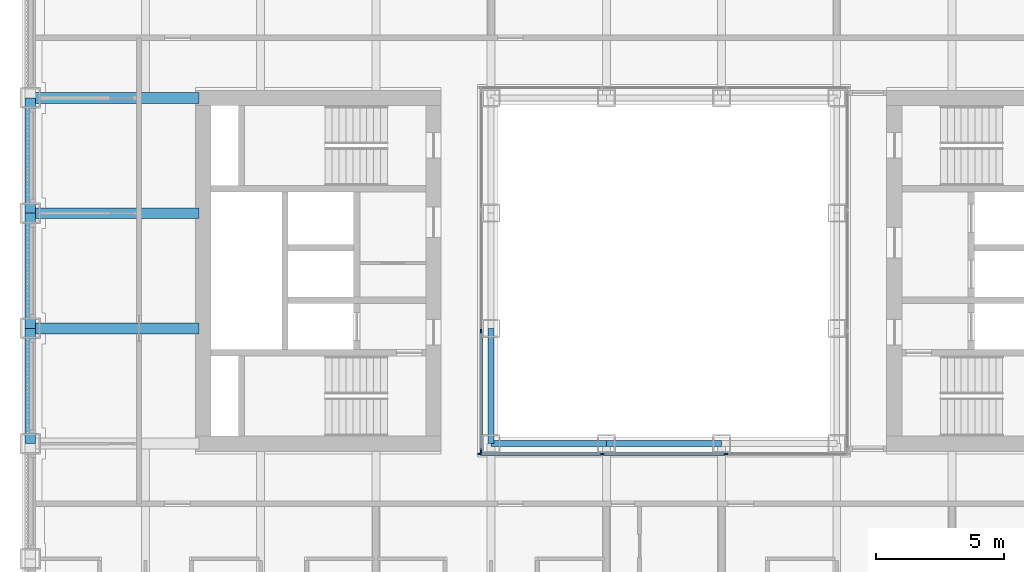
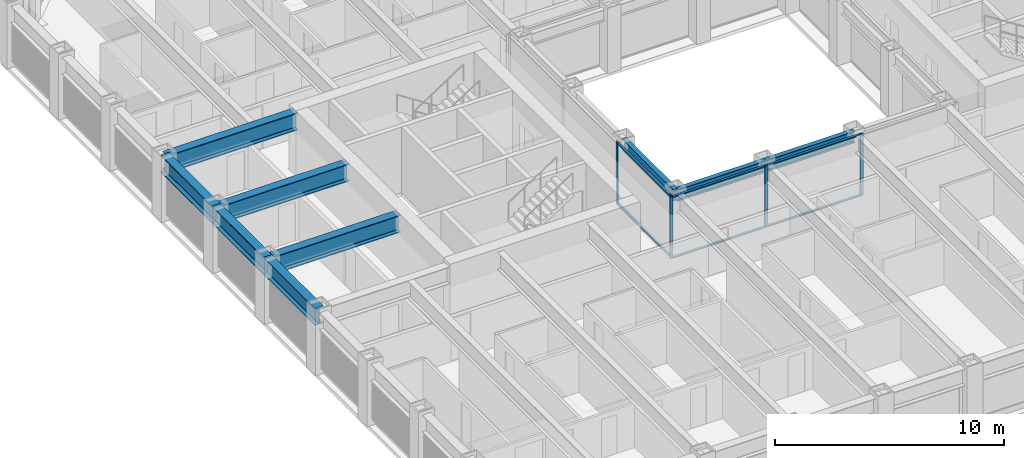
# One storey, part 3 of 21: 11 members, 9 beams, 2 elements without a shape of their own.
"""IFC4 building model written with IfcOpenShell, lengths in metres."""

from ifc_helpers import new_model, si_unit, direction, frame, origin, origin_2d, place, context, subcontext, project, spatial, rectangle, i_section, extrude, material, material_profile, profile_set, type_object, element, aggregate, save


model = new_model("IFC4")

# Units and contexts
model_context = context("Model", 3, precision=1e-05, world=origin(), true_north=direction((0.0, 1.0)))
body_context = subcontext(model_context, "Body", "Model", "MODEL_VIEW")
ifc_project = project(units=[si_unit("LENGTHUNIT", "METRE"), si_unit("AREAUNIT", "SQUARE_METRE"), si_unit("VOLUMEUNIT", "CUBIC_METRE"), si_unit("PLANEANGLEUNIT", "RADIAN"), si_unit("MASSUNIT", "GRAM", prefix="KILO")], contexts=[model_context])

# Site, building, storey
site_placement = place(None, origin())
site = spatial("IfcSite", under=ifc_project, at=site_placement, CompositionType="ELEMENT")
building_placement = place(site_placement, origin())
building = spatial("IfcBuilding", under=site, at=building_placement, Name="Msasa Ring Tower", CompositionType="ELEMENT")
storey_placement = place(building_placement, frame((0.0, 0.0, 72.0)))
storey = spatial("IfcBuildingStorey", under=building, at=storey_placement, Name="L18", CompositionType="ELEMENT", Elevation=72.0)

# Curtain wall, members
ifc_material_1 = material(Name="Aluminium curtain wall with clear glass", Category="aluminium")
curtain_wall_type = type_object("IfcCurtainWallType", Name="CW-W LIGHT WELL CURTAIN WALL", PredefinedType="NOTDEFINED", material=ifc_material_1)
curtain_wall_1_placement = place(storey_placement, origin())
curtain_wall_1 = element("IfcCurtainWall", 1, at=curtain_wall_1_placement, inside=storey, type_object=curtain_wall_type, Name="Light well curtain wall S L18", PredefinedType="NOTDEFINED")
ifc_material_2 = material(Name="Aluminium mullion", Category="aluminium")
ifc_material_profile_1 = material_profile(ifc_material_2, rectangle(XDim=0.06005859375, YDim=0.159912109375, at=origin_2d()), Name="AL 60x160")
ifc_profile_set_1 = profile_set([ifc_material_profile_1], Name="Aluminium mullion")
member_type_1 = type_object("IfcMemberType", Name="CW-W MULLION 60x160", PredefinedType="MULLION", material=ifc_profile_set_1)
member_1_placement = place(storey_placement, frame((-7.199951171875, -7.14990234375, 0.0), z_axis=(0.0, 0.0, 1.0), x_axis=(0.0, 1.0, 0.0)))
member_1 = element("IfcMember", 2, at=member_1_placement, type_object=member_type_1, Name="CW-W mullion 1", PredefinedType="MULLION", context=body_context, shape_type="SweptSolid", body=[
    extrude(rectangle(XDim=0.06005859375, YDim=0.159912109375, at=origin_2d()), origin(), (0.0, 0.0, 1.0), 3.300048828125),
])
member_2_placement = place(storey_placement, frame((-2.409912109375, -7.14990234375, 0.0), z_axis=(0.0, 0.0, 1.0), x_axis=(0.0, 1.0, 0.0)))
member_2 = element("IfcMember", 3, at=member_2_placement, type_object=member_type_1, Name="CW-W mullion 2", PredefinedType="MULLION", context=body_context, shape_type="SweptSolid", body=[
    extrude(rectangle(XDim=0.06005859375, YDim=0.159912109375, at=origin_2d()), origin(), (0.0, 0.0, 1.0), 3.300048828125),
])
member_3_placement = place(storey_placement, frame((2.409912109375, -7.14990234375, 0.0), z_axis=(0.0, 0.0, 1.0), x_axis=(0.0, 1.0, 0.0)))
member_3 = element("IfcMember", 4, at=member_3_placement, type_object=member_type_1, Name="CW-W mullion 3", PredefinedType="MULLION", context=body_context, shape_type="SweptSolid", body=[
    extrude(rectangle(XDim=0.06005859375, YDim=0.159912109375, at=origin_2d()), origin(), (0.0, 0.0, 1.0), 3.300048828125),
])

curtain_wall_2_placement = place(storey_placement, origin())
curtain_wall_2 = element("IfcCurtainWall", 5, at=curtain_wall_2_placement, inside=storey, type_object=curtain_wall_type, Name="Light well curtain wall W L18", PredefinedType="NOTDEFINED")
member_4_placement = place(storey_placement, frame((-7.14990234375, -7.0400390625, 0.0), z_axis=(0.0, 0.0, 1.0), x_axis=(-1.0, 0.0, 0.0)))
member_4 = element("IfcMember", 6, at=member_4_placement, type_object=member_type_1, Name="CW-W mullion 1", PredefinedType="MULLION", context=body_context, shape_type="SweptSolid", body=[
    extrude(rectangle(XDim=0.06005859375, YDim=0.159912109375, at=origin_2d()), origin(), (0.0, 0.0, 1.0), 3.300048828125),
])
member_5_placement = place(storey_placement, frame((-7.14990234375, -2.356689453125, 0.0), z_axis=(0.0, 0.0, 1.0), x_axis=(-1.0, 0.0, 0.0)))
member_5 = element("IfcMember", 7, at=member_5_placement, type_object=member_type_1, Name="CW-W mullion 2", PredefinedType="MULLION", context=body_context, shape_type="SweptSolid", body=[
    extrude(rectangle(XDim=0.06005859375, YDim=0.159912109375, at=origin_2d()), origin(), (0.0, 0.0, 1.0), 3.300048828125),
])

# Member
ifc_material_3 = material(Name="Aluminium transom", Category="aluminium")
ifc_material_profile_2 = material_profile(ifc_material_3, rectangle(XDim=0.1201171875, YDim=0.06005859375, at=origin_2d()), Name="AL 60x120")
ifc_profile_set_2 = profile_set([ifc_material_profile_2], Name="Aluminium transom")
member_type_2 = type_object("IfcMemberType", Name="CW-W TRANSOM 60x120", PredefinedType="USERDEFINED", material=ifc_profile_set_2)
member_6_placement = place(storey_placement, frame((-7.169921875, -7.14990234375, 0.030029296875), z_axis=(1.0, 0.0, 0.0), x_axis=(0.0, 1.0, 0.0)))
member_6 = element("IfcMember", 8, at=member_6_placement, type_object=member_type_2, Name="CW-W transom 1.1", ObjectType="TRANSOM", PredefinedType="USERDEFINED", context=body_context, shape_type="SweptSolid", body=[
    extrude(rectangle(XDim=0.1201171875, YDim=0.06005859375, at=origin_2d()), origin(), (0.0, 0.0, 1.0), 4.72998046875),
])

member_7_placement = place(storey_placement, frame((-7.169921875, -7.14990234375, 3.27001953125), z_axis=(1.0, 0.0, 0.0), x_axis=(0.0, 1.0, 0.0)))
member_7 = element("IfcMember", 9, at=member_7_placement, type_object=member_type_2, Name="CW-W transom 1.2", ObjectType="TRANSOM", PredefinedType="USERDEFINED", context=body_context, shape_type="SweptSolid", body=[
    extrude(rectangle(XDim=0.1201171875, YDim=0.06005859375, at=origin_2d()), origin(), (0.0, 0.0, 1.0), 4.72998046875),
])

member_8_placement = place(storey_placement, frame((-2.3798828125, -7.14990234375, 0.030029296875), z_axis=(1.0, 0.0, 0.0), x_axis=(0.0, 1.0, 0.0)))
member_8 = element("IfcMember", 10, at=member_8_placement, type_object=member_type_2, Name="CW-W transom 2.1", ObjectType="TRANSOM", PredefinedType="USERDEFINED", context=body_context, shape_type="SweptSolid", body=[
    extrude(rectangle(XDim=0.1201171875, YDim=0.06005859375, at=origin_2d()), origin(), (0.0, 0.0, 1.0), 4.759765625),
])

member_9_placement = place(storey_placement, frame((-2.3798828125, -7.14990234375, 3.27001953125), z_axis=(1.0, 0.0, 0.0), x_axis=(0.0, 1.0, 0.0)))
member_9 = element("IfcMember", 11, at=member_9_placement, type_object=member_type_2, Name="CW-W transom 2.2", ObjectType="TRANSOM", PredefinedType="USERDEFINED", context=body_context, shape_type="SweptSolid", body=[
    extrude(rectangle(XDim=0.1201171875, YDim=0.06005859375, at=origin_2d()), origin(), (0.0, 0.0, 1.0), 4.759765625),
])

aggregate(curtain_wall_1, [member_1, member_2, member_3, member_6, member_7, member_8, member_9])

member_10_placement = place(storey_placement, frame((-7.14990234375, -7.010009765625, 0.030029296875), z_axis=(0.0, 1.0, 0.0), x_axis=(-1.0, 0.0, 0.0)))
member_10 = element("IfcMember", 12, at=member_10_placement, type_object=member_type_2, Name="CW-W transom 1.1", ObjectType="TRANSOM", PredefinedType="USERDEFINED", context=body_context, shape_type="SweptSolid", body=[
    extrude(rectangle(XDim=0.1201171875, YDim=0.06005859375, at=origin_2d()), origin(), (0.0, 0.0, 1.0), 4.623291015625),
])

member_11_placement = place(storey_placement, frame((-7.14990234375, -7.010009765625, 3.27001953125), z_axis=(0.0, 1.0, 0.0), x_axis=(-1.0, 0.0, 0.0)))
member_11 = element("IfcMember", 13, at=member_11_placement, type_object=member_type_2, Name="CW-W transom 1.2", ObjectType="TRANSOM", PredefinedType="USERDEFINED", context=body_context, shape_type="SweptSolid", body=[
    extrude(rectangle(XDim=0.1201171875, YDim=0.06005859375, at=origin_2d()), origin(), (0.0, 0.0, 1.0), 4.623291015625),
])

aggregate(curtain_wall_2, [member_4, member_5, member_10, member_11])

# Beams
ifc_material_4 = material(Name="Steel S355", Category="steel")
ifc_material_profile_3 = material_profile(ifc_material_4, i_section(OverallWidth=0.42041015625, OverallDepth=0.9208984375, WebThickness=0.021484375, FlangeThickness=0.03662109375, FilletRadius=0.024169921875, at=origin_2d()), Name="UB 914x419x388")
ifc_profile_set_3 = profile_set([ifc_material_profile_3], Name="Steel S355")
beam_type_1 = type_object("IfcBeamType", Name="FB2 UB 914x419x388", PredefinedType="BEAM", material=ifc_profile_set_3)
for number, where, z_axis, x_axis, name in (
    (14, (-24.75, -2.25, 2.839599609375), (1.0, 0.0, 0.0), (0.0, 1.0, 0.0), "Floor beam W -2.25 under L19"),
    (15, (-24.75, 2.25, 2.839599609375), (1.0, 0.0, 0.0), (0.0, 1.0, 0.0), "Floor beam W +2.25 under L19"),
):
    element("IfcBeam", number, at=place(storey_placement, frame(where, z_axis=z_axis, x_axis=x_axis)), inside=storey, type_object=beam_type_1, Name=name, PredefinedType="BEAM", context=body_context, shape_type="SweptSolid", body=[
        extrude(i_section(OverallWidth=0.42041015625, OverallDepth=0.9208984375, WebThickness=0.021484375, FlangeThickness=0.03662109375, FilletRadius=0.024169921875, at=origin_2d()), origin(), (0.0, 0.0, 1.0), 6.60009765625),
    ])
ifc_material_5 = material(Name="Steel S355", Category="steel")
ifc_material_profile_4 = material_profile(ifc_material_5, i_section(OverallWidth=0.42041015625, OverallDepth=0.9208984375, WebThickness=0.021484375, FlangeThickness=0.03662109375, FilletRadius=0.024169921875, at=origin_2d()), Name="UB 914x419x388")
ifc_profile_set_4 = profile_set([ifc_material_profile_4], Name="Steel S355")
beam_type_2 = type_object("IfcBeamType", Name="GB1 UB 914x419x388", PredefinedType="BEAM", material=ifc_profile_set_4)
beam_placement = place(storey_placement, frame((-18.14990234375, 6.75, 2.839599609375), z_axis=(-1.0, 0.0, 0.0), x_axis=(0.0, -1.0, 0.0)))
element("IfcBeam", 16, at=beam_placement, inside=storey, type_object=beam_type_2, Name="Girder W +6.75 under L19", PredefinedType="BEAM", context=body_context, shape_type="SweptSolid", body=[
    extrude(i_section(OverallWidth=0.42041015625, OverallDepth=0.9208984375, WebThickness=0.021484375, FlangeThickness=0.03662109375, FilletRadius=0.024169921875, at=origin_2d()), origin(), (0.0, 0.0, 1.0), 6.60009765625),
])
ifc_material_6 = material(Name="Steel S355", Category="steel")
ifc_material_profile_5 = material_profile(ifc_material_6, i_section(OverallWidth=0.230224609375, OverallDepth=0.6171875, WebThickness=0.01318359375, FlangeThickness=0.022216796875, FilletRadius=0.0126953125, at=origin_2d()), Name="UB 610x229x140")
ifc_profile_set_5 = profile_set([ifc_material_profile_5], Name="Steel S355")
beam_type_3 = type_object("IfcBeamType", Name="RB1 UB 610x229x140", PredefinedType="BEAM", material=ifc_profile_set_5)
for number, where, z_axis, x_axis, name in (
    (17, (-6.75, -2.25, 2.991455078125), (0.0, -1.0, 0.0), (1.0, 0.0, 0.0), "Inner ring beam IR-6.75-2.25 under L19"),
    (18, (-6.75, -6.75, 2.991455078125), (1.0, 0.0, 0.0), (0.0, 1.0, 0.0), "Inner ring beam IR-6.75-6.75 under L19"),
    (19, (-2.25, -6.75, 2.991455078125), (1.0, 0.0, 0.0), (0.0, 1.0, 0.0), "Inner ring beam IR-2.25-6.75 under L19"),
):
    element("IfcBeam", number, at=place(storey_placement, frame(where, z_axis=z_axis, x_axis=x_axis)), inside=storey, type_object=beam_type_3, Name=name, PredefinedType="BEAM", context=body_context, shape_type="SweptSolid", body=[
        extrude(i_section(OverallWidth=0.230224609375, OverallDepth=0.6171875, WebThickness=0.01318359375, FlangeThickness=0.022216796875, FilletRadius=0.0126953125, at=origin_2d()), origin(), (0.0, 0.0, 1.0), 4.5),
    ])
ifc_material_7 = material(Name="Steel S355", Category="steel")
ifc_material_profile_6 = material_profile(ifc_material_7, i_section(OverallWidth=0.42041015625, OverallDepth=0.9208984375, WebThickness=0.021484375, FlangeThickness=0.03662109375, FilletRadius=0.024169921875, at=origin_2d()), Name="UB 914x419x388")
ifc_profile_set_6 = profile_set([ifc_material_profile_6], Name="Steel S355")
beam_type_4 = type_object("IfcBeamType", Name="SB1 UB 914x419x388", PredefinedType="SPANDREL", material=ifc_profile_set_6)
for number, where, z_axis, x_axis, name in (
    (20, (-24.75, -2.25, 2.839599609375), (0.0, -1.0, 0.0), (1.0, 0.0, 0.0), "Spandrel W-2.25 to W-6.75 under L19"),
    (21, (-24.75, 6.75, 2.839599609375), (0.0, -1.0, 0.0), (1.0, 0.0, 0.0), "Spandrel W+6.75 to W+2.25 under L19"),
    (22, (-24.75, 2.25, 2.839599609375), (0.0, -1.0, 0.0), (1.0, 0.0, 0.0), "Spandrel W+2.25 to W-2.25 under L19"),
):
    element("IfcBeam", number, at=place(storey_placement, frame(where, z_axis=z_axis, x_axis=x_axis)), inside=storey, type_object=beam_type_4, Name=name, PredefinedType="SPANDREL", context=body_context, shape_type="SweptSolid", body=[
        extrude(i_section(OverallWidth=0.42041015625, OverallDepth=0.9208984375, WebThickness=0.021484375, FlangeThickness=0.03662109375, FilletRadius=0.024169921875, at=origin_2d()), origin(), (0.0, 0.0, 1.0), 4.5),
    ])

save(model, "model.ifc")
